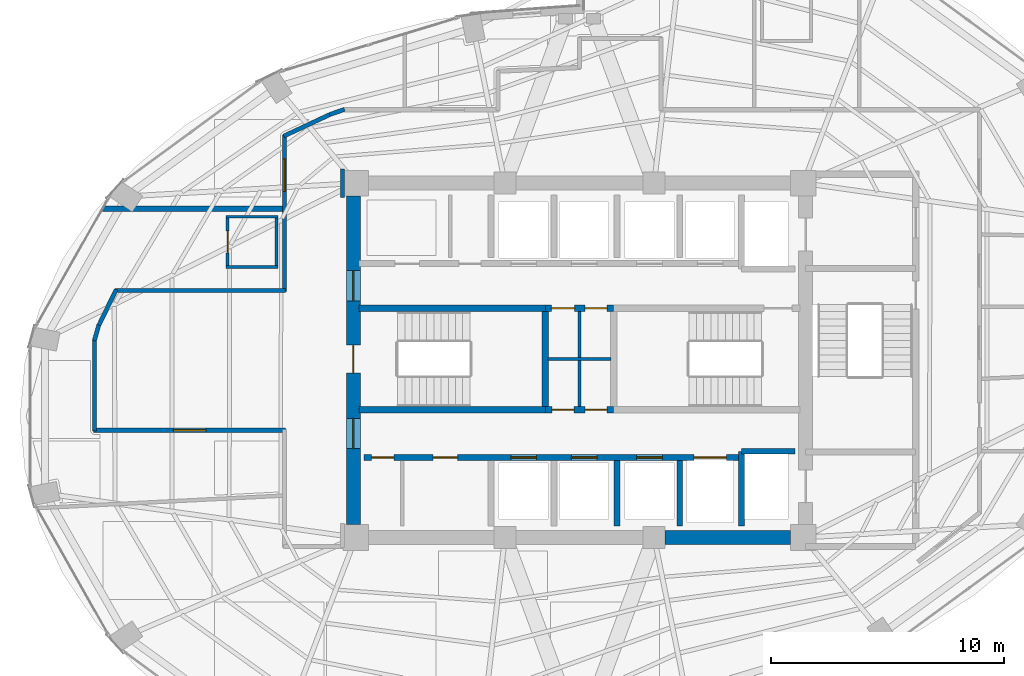
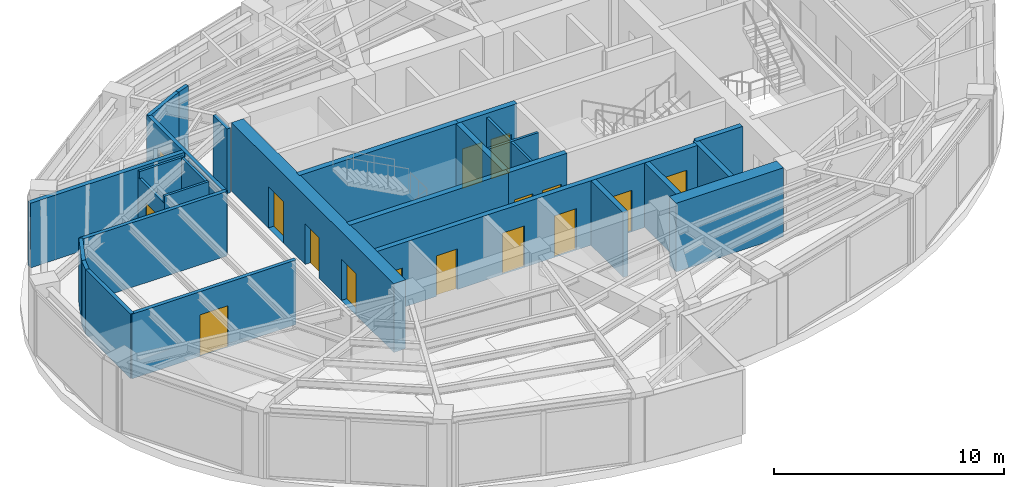
# One storey, part 16 of 20: 28 walls, 16 doors, 16 openings.
"""IFC4 building model written with IfcOpenShell, lengths in metres."""

from ifc_helpers import new_model, si_unit, direction, frame, frame_2d, origin, place, context, subcontext, project, spatial, rectangle, extrude, material, layer, layer_set, type_object, element, fill, save


model = new_model("IFC4")

# Units and contexts
model_context = context("Model", 3, precision=1e-05, world=origin(), true_north=direction((0.0, 1.0)))
body_context = subcontext(model_context, "Body", "Model", "MODEL_VIEW")
ifc_project = project(units=[si_unit("LENGTHUNIT", "METRE"), si_unit("AREAUNIT", "SQUARE_METRE"), si_unit("VOLUMEUNIT", "CUBIC_METRE"), si_unit("PLANEANGLEUNIT", "RADIAN"), si_unit("MASSUNIT", "GRAM", prefix="KILO")], contexts=[model_context])

# Site, building, storey
site_placement = place(None, origin())
site = spatial("IfcSite", under=ifc_project, at=site_placement, CompositionType="ELEMENT")
building_placement = place(site_placement, origin())
building = spatial("IfcBuilding", under=site, at=building_placement, Name="Lazwardi Medical Tower", CompositionType="ELEMENT")
storey_placement = place(building_placement, frame((0.0, 0.0, 138.2880859375)))
storey = spatial("IfcBuildingStorey", under=building, at=storey_placement, Name="L35", CompositionType="ELEMENT", Elevation=138.2880859375)

# Walls
ifc_material_1 = material(Name="Fire-rated gypsum board on steel stud", Category="steel")
ifc_layer_1 = layer(ifc_material_1, 0.179931640625)
ifc_layer_set_1 = layer_set([ifc_layer_1], Name="Fire-rated gypsum board on steel stud")
wall_type_1 = type_object("IfcWallType", Name="WL-COR-180", PredefinedType="PARTITIONING", material=ifc_layer_set_1)
wall_1_placement = place(storey_placement, frame((15.350341796875, 29.435791015625, 0.0), z_axis=(0.0, 0.0, 1.0), x_axis=(0.436196025907, 0.899851669434, 0.0)))
element("IfcWall", 1, at=wall_1_placement, inside=storey, type_object=wall_type_1, Name="L35 Corridor partition 1", PredefinedType="PARTITIONING", context=body_context, shape_type="SweptSolid", body=[
    extrude(rectangle(XDim=1.778076171875, YDim=0.179931640625, at=frame_2d((0.88916015625, 0.0))), origin(), (0.0, 0.0, 1.0), 3.427978515625),
])
wall_2_placement = place(storey_placement, frame((16.068359375, 31.0, 0.0), z_axis=(0.0, 0.0, 1.0), x_axis=(1.0, 0.0, 0.0)))
element("IfcWall", 2, at=wall_2_placement, inside=storey, type_object=wall_type_1, Name="L35 Corridor partition 2", PredefinedType="PARTITIONING", context=body_context, shape_type="SweptSolid", body=[
    extrude(rectangle(XDim=7.321533203125, YDim=0.179931640625, at=frame_2d((3.66064453125, 0.0))), origin(), (0.0, 0.0, 1.0), 3.427978515625),
])

# Wall, opening, door
wall_3_placement = place(storey_placement, frame((23.35009765625, 30.9599609375, 0.0), z_axis=(0.0, 0.0, 1.0), x_axis=(0.0, 1.0, 0.0)))
wall_3 = element("IfcWall", 3, at=wall_3_placement, inside=storey, type_object=wall_type_1, Name="L35 Corridor partition 3", PredefinedType="PARTITIONING", context=body_context, shape_type="SweptSolid", body=[
    extrude(rectangle(XDim=6.7138671875, YDim=0.179931640625, at=frame_2d((3.35693359375, 0.0))), origin(), (0.0, 0.0, 1.0), 3.427978515625),
])
opening_1_placement = place(wall_3_placement, frame((4.285400390625, 0.0, 0.0)))
opening_1 = element("IfcOpeningElement", 4, at=opening_1_placement, cuts=wall_3, Name="Opening D-L35-023", PredefinedType="OPENING", context=body_context, shape_type="SweptSolid", body=[
    extrude(rectangle(XDim=1.39990234375, YDim=2.199951171875, at=frame_2d((0.699951171875, 1.10009765625))), frame((0.0, 0.099853515625, 0.0), z_axis=(0.0, -1.0, 0.0), x_axis=(1.0, 0.0, 0.0)), (0.0, 0.0, 1.0), 0.199951171875),
])
ifc_material_2 = material(Name="Anti-microbial laminate hospital leaf")
door_type_1 = type_object("IfcDoorType", Name="DR-BED-1400", OperationType="NOTDEFINED", PredefinedType="DOOR", material=ifc_material_2)
door_1_placement = place(opening_1_placement, origin())
door_1 = element("IfcDoor", 5, at=door_1_placement, inside=storey, type_object=door_type_1, Name="L35 Patient Bedroom Door 09", OperationType="SINGLE_SWING_RIGHT", OverallHeight=2.199951171875, OverallWidth=1.39990234375, PredefinedType="DOOR", context=body_context, shape_type="SweptSolid", body=[
    extrude(rectangle(XDim=1.39990234375, YDim=2.199951171875, at=frame_2d((0.699951171875, 1.10009765625))), frame((0.0, 0.02490234375, 0.0), z_axis=(0.0, -1.0, 0.0), x_axis=(1.0, 0.0, 0.0)), (0.0, 0.0, 1.0), 0.050048828125),
])
fill(opening_1, door_1)

# Walls
wall_4_placement = place(storey_placement, frame((23.313720703125, 37.616943359375, 0.0), z_axis=(0.0, 0.0, 1.0), x_axis=(0.905731790856, 0.423851298255, 0.0)))
element("IfcWall", 6, at=wall_4_placement, inside=storey, type_object=wall_type_1, Name="L35 Corridor partition 4", PredefinedType="PARTITIONING", context=body_context, shape_type="SweptSolid", body=[
    extrude(rectangle(XDim=2.255126953125, YDim=0.179931640625, at=frame_2d((1.12744140625, 0.0))), origin(), (0.0, 0.0, 1.0), 3.427978515625),
])
wall_5_placement = place(storey_placement, frame((25.2822265625, 38.54248046875, 0.0), z_axis=(0.0, 0.0, 1.0), x_axis=(0.94508059942, 0.326837361085, 0.0)))
element("IfcWall", 7, at=wall_5_placement, inside=storey, type_object=wall_type_1, Name="L35 Corridor partition 5", PredefinedType="PARTITIONING", context=body_context, shape_type="SweptSolid", body=[
    extrude(rectangle(XDim=0.67529296875, YDim=0.179931640625, at=frame_2d((0.337646484375, 0.0))), origin(), (0.0, 0.0, 1.0), 3.427978515625),
])
wall_6_placement = place(storey_placement, frame((25.830078125, 36.2099609375, 0.0), z_axis=(0.0, 0.0, 1.0), x_axis=(0.0, -1.0, 0.0)))
element("IfcWall", 8, at=wall_6_placement, inside=storey, type_object=wall_type_1, Name="L35 Corridor partition 15", PredefinedType="PARTITIONING", context=body_context, shape_type="SweptSolid", body=[
    extrude(rectangle(XDim=1.219970703125, YDim=0.179931640625, at=frame_2d((0.60986328125, 0.0))), origin(), (0.0, 0.0, 1.0), 3.427978515625),
])

# Wall, opening, door
wall_7_placement = place(storey_placement, frame((23.389892578125, 25.0, 0.0), z_axis=(0.0, 0.0, 1.0), x_axis=(-1.0, 0.0, 0.0)))
wall_7 = element("IfcWall", 9, at=wall_7_placement, inside=storey, type_object=wall_type_1, Name="L35 Corridor partition 19", PredefinedType="PARTITIONING", context=body_context, shape_type="SweptSolid", body=[
    extrude(rectangle(XDim=8.22998046875, YDim=0.179931640625, at=frame_2d((4.114990234375, 0.0))), origin(), (0.0, 0.0, 1.0), 3.427978515625),
])
opening_2_placement = place(wall_7_placement, frame((3.4150390625, 0.0, 0.0)))
opening_2 = element("IfcOpeningElement", 10, at=opening_2_placement, cuts=wall_7, Name="Opening D-L35-015", PredefinedType="OPENING", context=body_context, shape_type="SweptSolid", body=[
    extrude(rectangle(XDim=1.39990234375, YDim=2.199951171875, at=frame_2d((0.699951171875, 1.10009765625))), frame((0.0, 0.099853515625, 0.0), z_axis=(0.0, -1.0, 0.0), x_axis=(1.0, 0.0, 0.0)), (0.0, 0.0, 1.0), 0.199951171875),
])
door_2_placement = place(opening_2_placement, origin())
door_2 = element("IfcDoor", 11, at=door_2_placement, inside=storey, type_object=door_type_1, Name="L35 Inpatient Ward Door 01", OperationType="SINGLE_SWING_LEFT", OverallHeight=2.199951171875, OverallWidth=1.39990234375, PredefinedType="DOOR", context=body_context, shape_type="SweptSolid", body=[
    extrude(rectangle(XDim=1.39990234375, YDim=2.199951171875, at=frame_2d((0.699951171875, 1.10009765625))), frame((0.0, 0.02490234375, 0.0), z_axis=(0.0, -1.0, 0.0), x_axis=(1.0, 0.0, 0.0)), (0.0, 0.0, 1.0), 0.050048828125),
])
fill(opening_2, door_2)

# Walls
wall_8_placement = place(storey_placement, frame((15.199951171875, 24.9599609375, 0.0), z_axis=(0.0, 0.0, 1.0), x_axis=(0.0, 1.0, 0.0)))
element("IfcWall", 12, at=wall_8_placement, inside=storey, type_object=wall_type_1, Name="L35 Corridor partition 20", PredefinedType="PARTITIONING", context=body_context, shape_type="SweptSolid", body=[
    extrude(rectangle(XDim=3.961181640625, YDim=0.179931640625, at=frame_2d((1.98046875, 0.0))), origin(), (0.0, 0.0, 1.0), 3.427978515625),
])
wall_9_placement = place(storey_placement, frame((15.189208984375, 28.842529296875, 0.0), z_axis=(0.0, 0.0, 1.0), x_axis=(0.272862960331, 0.962052911684, 0.0)))
element("IfcWall", 13, at=wall_9_placement, inside=storey, type_object=wall_type_1, Name="L35 Corridor partition 21", PredefinedType="PARTITIONING", context=body_context, shape_type="SweptSolid", body=[
    extrude(rectangle(XDim=0.6943359375, YDim=0.179931640625, at=frame_2d((0.34716796875, 0.0))), origin(), (0.0, 0.0, 1.0), 3.427978515625),
])

# Wall, openings, doors
ifc_material_3 = material(Name="Concrete C60/75", Category="concrete")
ifc_layer_2 = layer(ifc_material_3, 0.60009765625)
ifc_layer_set_2 = layer_set([ifc_layer_2], Name="Concrete C60/75")
wall_type_2 = type_object("IfcWallType", Name="WL-CORE-600", PredefinedType="SHEAR", material=ifc_layer_set_2)
wall_10_placement = place(storey_placement, frame((26.300048828125, 20.949951171875, 0.0), z_axis=(0.0, 0.0, 1.0), x_axis=(0.0, 1.0, 0.0)))
wall_10 = element("IfcWall", 14, at=wall_10_placement, inside=storey, type_object=wall_type_2, Name="Core wall CW-S3 west L35", PredefinedType="SHEAR", context=body_context, shape_type="SweptSolid", body=[
    extrude(rectangle(XDim=14.10009765625, YDim=0.60009765625, at=frame_2d((7.050048828125, 0.0))), origin(), (0.0, 0.0, 1.0), 3.64794921875),
])
opening_3_placement = place(wall_10_placement, frame((6.5, 0.0, 0.0)))
opening_3 = element("IfcOpeningElement", 15, at=opening_3_placement, cuts=wall_10, Name="Opening D-L35-024", PredefinedType="OPENING", context=body_context, shape_type="SweptSolid", body=[
    extrude(rectangle(XDim=1.199951171875, YDim=2.14990234375, at=frame_2d((0.60009765625, 1.074951171875))), frame((0.0, 0.31005859375, 0.0), z_axis=(0.0, -1.0, 0.0), x_axis=(1.0, 0.0, 0.0)), (0.0, 0.0, 1.0), 0.6201171875),
])
opening_4_placement = place(wall_10_placement, frame((9.60009765625, 0.0, 0.0)))
opening_4 = element("IfcOpeningElement", 16, at=opening_4_placement, cuts=wall_10, Name="Opening D-L35-013", PredefinedType="OPENING", context=body_context, shape_type="SweptSolid", body=[
    extrude(rectangle(XDim=1.300048828125, YDim=2.199951171875, at=frame_2d((0.64990234375, 1.10009765625))), frame((0.0, 0.31005859375, 0.0), z_axis=(0.0, -1.0, 0.0), x_axis=(1.0, 0.0, 0.0)), (0.0, 0.0, 1.0), 0.6201171875),
])
opening_5_placement = place(wall_10_placement, frame((3.260009765625, 0.0, 0.0)))
opening_5 = element("IfcOpeningElement", 17, at=opening_5_placement, cuts=wall_10, Name="Opening D-L35-014", PredefinedType="OPENING", context=body_context, shape_type="SweptSolid", body=[
    extrude(rectangle(XDim=1.300048828125, YDim=2.199951171875, at=frame_2d((0.64990234375, 1.10009765625))), frame((0.0, 0.31005859375, 0.0), z_axis=(0.0, -1.0, 0.0), x_axis=(1.0, 0.0, 0.0)), (0.0, 0.0, 1.0), 0.6201171875),
])
ifc_material_4 = material(Name="Fire-rated steel leaf and frame", Category="steel")
door_type_2 = type_object("IfcDoorType", Name="DR-FFL-1300", OperationType="NOTDEFINED", PredefinedType="DOOR", material=ifc_material_4)
door_3_placement = place(opening_4_placement, origin())
door_3 = element("IfcDoor", 18, at=door_3_placement, inside=storey, type_object=door_type_2, Name="L35 North Lift Lobby Door", OperationType="SINGLE_SWING_LEFT", OverallHeight=2.199951171875, OverallWidth=1.300048828125, PredefinedType="DOOR", context=body_context, shape_type="SweptSolid", body=[
    extrude(rectangle(XDim=1.300048828125, YDim=2.199951171875, at=frame_2d((0.64990234375, 1.10009765625))), frame((0.0, 0.02490234375, 0.0), z_axis=(0.0, -1.0, 0.0), x_axis=(1.0, 0.0, 0.0)), (0.0, 0.0, 1.0), 0.050048828125),
])
fill(opening_4, door_3)
door_4_placement = place(opening_5_placement, origin())
door_4 = element("IfcDoor", 19, at=door_4_placement, inside=storey, type_object=door_type_2, Name="L35 South Lift Lobby Door", OperationType="SINGLE_SWING_RIGHT", OverallHeight=2.199951171875, OverallWidth=1.300048828125, PredefinedType="DOOR", context=body_context, shape_type="SweptSolid", body=[
    extrude(rectangle(XDim=1.300048828125, YDim=2.199951171875, at=frame_2d((0.64990234375, 1.10009765625))), frame((0.0, 0.02490234375, 0.0), z_axis=(0.0, -1.0, 0.0), x_axis=(1.0, 0.0, 0.0)), (0.0, 0.0, 1.0), 0.050048828125),
])
fill(opening_5, door_4)
door_type_3 = type_object("IfcDoorType", Name="DR-STR-1200", OperationType="NOTDEFINED", PredefinedType="DOOR", material=ifc_material_4)
door_5_placement = place(opening_3_placement, origin())
door_5 = element("IfcDoor", 20, at=door_5_placement, inside=storey, type_object=door_type_3, Name="L35 Exit Stair ST1 Door", OperationType="SINGLE_SWING_LEFT", OverallHeight=2.14990234375, OverallWidth=1.199951171875, PredefinedType="DOOR", context=body_context, shape_type="SweptSolid", body=[
    extrude(rectangle(XDim=1.199951171875, YDim=2.14990234375, at=frame_2d((0.60009765625, 1.074951171875))), frame((0.0, 0.02490234375, 0.0), z_axis=(0.0, -1.0, 0.0), x_axis=(1.0, 0.0, 0.0)), (0.0, 0.0, 1.0), 0.050048828125),
])
fill(opening_3, door_5)

# Walls
wall_11_placement = place(storey_placement, frame((39.675048828125, 20.39990234375, 0.0), z_axis=(0.0, 0.0, 1.0), x_axis=(1.0, 0.0, 0.0)))
element("IfcWall", 21, at=wall_11_placement, inside=storey, type_object=wall_type_2, Name="Core wall CW-S3 S3 L35", PredefinedType="SHEAR", context=body_context, shape_type="SweptSolid", body=[
    extrude(rectangle(XDim=5.375, YDim=0.60009765625, at=frame_2d((2.6875, 0.0))), origin(), (0.0, 0.0, 1.0), 3.64794921875),
])
ifc_material_5 = material(Name="Moisture-resistant gypsum board partition")
ifc_layer_3 = layer(ifc_material_5, 0.125)
ifc_layer_set_3 = layer_set([ifc_layer_3], Name="Moisture-resistant gypsum board partition")
wall_type_3 = type_object("IfcWallType", Name="WL-ENS-125", PredefinedType="PARTITIONING", material=ifc_layer_set_3)
wall_12_placement = place(storey_placement, frame((34.64990234375, 28.06005859375, 0.0), z_axis=(0.0, 0.0, 1.0), x_axis=(1.0, 0.0, 0.0)))
element("IfcWall", 22, at=wall_12_placement, inside=storey, type_object=wall_type_3, Name="L35 Core 4-way H divider", PredefinedType="PARTITIONING", context=body_context, shape_type="SweptSolid", body=[
    extrude(rectangle(XDim=2.7001953125, YDim=0.125, at=frame_2d((1.35009765625, 0.0))), origin(), (0.0, 0.0, 1.0), 3.427978515625),
])
wall_13_placement = place(storey_placement, frame((36.0, 26.02001953125, 0.0), z_axis=(0.0, 0.0, 1.0), x_axis=(0.0, 1.0, 0.0)))
element("IfcWall", 23, at=wall_13_placement, inside=storey, type_object=wall_type_3, Name="L35 Core 4-way V divider", PredefinedType="PARTITIONING", context=body_context, shape_type="SweptSolid", body=[
    extrude(rectangle(XDim=4.080078125, YDim=0.125, at=frame_2d((2.0400390625, 0.0))), origin(), (0.0, 0.0, 1.0), 3.427978515625),
])
for number, where, z_axis, x_axis, name in (
    (24, (20.844970703125, 34.159912109375, 0.0), (0.0, 0.0, 1.0), (1.0, 0.0, 0.0), "L35 En-suite wall 1N"),
    (25, (20.844970703125, 32.0, 0.0), (0.0, 0.0, 1.0), (1.0, 0.0, 0.0), "L35 En-suite wall 1S"),
):
    element("IfcWall", number, at=place(storey_placement, frame(where, z_axis=z_axis, x_axis=x_axis)), inside=storey, type_object=wall_type_3, Name=name, PredefinedType="PARTITIONING", context=body_context, shape_type="SweptSolid", body=[
        extrude(rectangle(XDim=2.219970703125, YDim=0.125, at=frame_2d((1.10986328125, 0.0))), origin(), (0.0, 0.0, 1.0), 3.427978515625),
    ])
wall_14_placement = place(storey_placement, frame((23.0048828125, 31.93994140625, 0.0), z_axis=(0.0, 0.0, 1.0), x_axis=(0.0, 1.0, 0.0)))
element("IfcWall", 26, at=wall_14_placement, inside=storey, type_object=wall_type_3, Name="L35 En-suite wall 1E", PredefinedType="PARTITIONING", context=body_context, shape_type="SweptSolid", body=[
    extrude(rectangle(XDim=2.280029296875, YDim=0.125, at=frame_2d((1.14013671875, 0.0))), origin(), (0.0, 0.0, 1.0), 3.427978515625),
])

# Wall, opening, door
wall_15_placement = place(storey_placement, frame((20.905029296875, 31.93994140625, 0.0), z_axis=(0.0, 0.0, 1.0), x_axis=(0.0, 1.0, 0.0)))
wall_15 = element("IfcWall", 27, at=wall_15_placement, inside=storey, type_object=wall_type_3, Name="L35 En-suite wall 1W", PredefinedType="PARTITIONING", context=body_context, shape_type="SweptSolid", body=[
    extrude(rectangle(XDim=2.280029296875, YDim=0.125, at=frame_2d((1.14013671875, 0.0))), origin(), (0.0, 0.0, 1.0), 3.052978515625),
])
opening_6_placement = place(wall_15_placement, frame((0.6650390625, 0.0, 0.0)))
opening_6 = element("IfcOpeningElement", 28, at=opening_6_placement, cuts=wall_15, Name="Opening D-L35-005", PredefinedType="OPENING", context=body_context, shape_type="SweptSolid", body=[
    extrude(rectangle(XDim=0.949951171875, YDim=2.10009765625, at=frame_2d((0.47509765625, 1.050048828125))), frame((0.0, 0.072509765625, 0.0), z_axis=(0.0, -1.0, 0.0), x_axis=(1.0, 0.0, 0.0)), (0.0, 0.0, 1.0), 0.14501953125),
])
ifc_material_6 = material(Name="Moisture-resistant laminate door leaf")
door_type_4 = type_object("IfcDoorType", Name="DR-ENS-950", OperationType="NOTDEFINED", PredefinedType="DOOR", material=ifc_material_6)
door_6_placement = place(opening_6_placement, origin())
door_6 = element("IfcDoor", 29, at=door_6_placement, inside=storey, type_object=door_type_4, Name="L35 En-suite Door 01", OperationType="SINGLE_SWING_RIGHT", OverallHeight=2.10009765625, OverallWidth=0.949951171875, PredefinedType="DOOR", context=body_context, shape_type="SweptSolid", body=[
    extrude(rectangle(XDim=0.949951171875, YDim=2.10009765625, at=frame_2d((0.47509765625, 1.050048828125))), frame((0.0, 0.02490234375, 0.0), z_axis=(0.0, -1.0, 0.0), x_axis=(1.0, 0.0, 0.0)), (0.0, 0.0, 1.0), 0.050048828125),
])
fill(opening_6, door_6)

# Wall, openings, doors
ifc_material_7 = material(Name="Autoclaved aerated concrete blockwork", Category="masonry")
ifc_layer_4 = layer(ifc_material_7, 0.25)
ifc_layer_set_4 = layer_set([ifc_layer_4], Name="Autoclaved aerated concrete blockwork")
wall_type_4 = type_object("IfcWallType", Name="WL-SHAFT-250", PredefinedType="SOLIDWALL", material=ifc_layer_set_4)
wall_16_placement = place(storey_placement, frame((26.75, 23.830078125, 0.0), z_axis=(0.0, 0.0, 1.0), x_axis=(1.0, 0.0, 0.0)))
wall_16 = element("IfcWall", 30, at=wall_16_placement, inside=storey, type_object=wall_type_4, Name="L35 South lift bank front wall", PredefinedType="SOLIDWALL", context=body_context, shape_type="SweptSolid", body=[
    extrude(rectangle(XDim=16.199951171875, YDim=0.25, at=frame_2d((8.10009765625, 0.0))), origin(), (0.0, 0.0, 1.0), 3.427978515625),
])
opening_7_placement = place(wall_16_placement, frame((0.3349609375, 0.0, 0.0)))
opening_7 = element("IfcOpeningElement", 31, at=opening_7_placement, cuts=wall_16, Name="Opening D-L35-009", PredefinedType="OPENING", context=body_context, shape_type="SweptSolid", body=[
    extrude(rectangle(XDim=0.949951171875, YDim=2.10009765625, at=frame_2d((0.47509765625, 1.050048828125))), frame((0.0, 0.135009765625, 0.0), z_axis=(0.0, -1.0, 0.0), x_axis=(1.0, 0.0, 0.0)), (0.0, 0.0, 1.0), 0.27001953125),
])
opening_8_placement = place(wall_16_placement, frame((2.97509765625, 0.0, 0.0)))
opening_8 = element("IfcOpeningElement", 32, at=opening_8_placement, cuts=wall_16, Name="Opening D-L35-010", PredefinedType="OPENING", context=body_context, shape_type="SweptSolid", body=[
    extrude(rectangle(XDim=1.050048828125, YDim=2.14990234375, at=frame_2d((0.52490234375, 1.074951171875))), frame((0.0, 0.135009765625, 0.0), z_axis=(0.0, -1.0, 0.0), x_axis=(1.0, 0.0, 0.0)), (0.0, 0.0, 1.0), 0.27001953125),
])
opening_9_placement = place(wall_16_placement, frame((6.300048828125, 0.0, 0.0)))
opening_9 = element("IfcOpeningElement", 33, at=opening_9_placement, cuts=wall_16, Name="Opening LD-L35-006", PredefinedType="OPENING", context=body_context, shape_type="SweptSolid", body=[
    extrude(rectangle(XDim=1.10009765625, YDim=2.199951171875, at=frame_2d((0.550048828125, 1.10009765625))), frame((0.0, 0.135009765625, 0.0), z_axis=(0.0, -1.0, 0.0), x_axis=(1.0, 0.0, 0.0)), (0.0, 0.0, 1.0), 0.27001953125),
])
opening_10_placement = place(wall_16_placement, frame((8.89990234375, 0.0, 0.0)))
opening_10 = element("IfcOpeningElement", 34, at=opening_10_placement, cuts=wall_16, Name="Opening LD-L35-007", PredefinedType="OPENING", context=body_context, shape_type="SweptSolid", body=[
    extrude(rectangle(XDim=1.10009765625, YDim=2.199951171875, at=frame_2d((0.550048828125, 1.10009765625))), frame((0.0, 0.135009765625, 0.0), z_axis=(0.0, -1.0, 0.0), x_axis=(1.0, 0.0, 0.0)), (0.0, 0.0, 1.0), 0.27001953125),
])
opening_11_placement = place(wall_16_placement, frame((11.699951171875, 0.0, 0.0)))
opening_11 = element("IfcOpeningElement", 35, at=opening_11_placement, cuts=wall_16, Name="Opening LD-L35-010", PredefinedType="OPENING", context=body_context, shape_type="SweptSolid", body=[
    extrude(rectangle(XDim=1.10009765625, YDim=2.199951171875, at=frame_2d((0.550048828125, 1.10009765625))), frame((0.0, 0.135009765625, 0.0), z_axis=(0.0, -1.0, 0.0), x_axis=(1.0, 0.0, 0.0)), (0.0, 0.0, 1.0), 0.27001953125),
])
opening_12_placement = place(wall_16_placement, frame((14.14990234375, 0.0, 0.0)))
opening_12 = element("IfcOpeningElement", 36, at=opening_12_placement, cuts=wall_16, Name="Opening LD-L35-003", PredefinedType="OPENING", context=body_context, shape_type="SweptSolid", body=[
    extrude(rectangle(XDim=1.39990234375, YDim=2.300048828125, at=frame_2d((0.699951171875, 1.14990234375))), frame((0.0, 0.135009765625, 0.0), z_axis=(0.0, -1.0, 0.0), x_axis=(1.0, 0.0, 0.0)), (0.0, 0.0, 1.0), 0.27001953125),
])
door_type_5 = type_object("IfcDoorType", Name="DR-CLN-1050", OperationType="NOTDEFINED", PredefinedType="DOOR", material=ifc_material_2)
door_7_placement = place(opening_8_placement, origin())
door_7 = element("IfcDoor", 37, at=door_7_placement, inside=storey, type_object=door_type_5, Name="L35 Medication Door", OperationType="SINGLE_SWING_RIGHT", OverallHeight=2.14990234375, OverallWidth=1.050048828125, PredefinedType="DOOR", context=body_context, shape_type="SweptSolid", body=[
    extrude(rectangle(XDim=1.050048828125, YDim=2.14990234375, at=frame_2d((0.52490234375, 1.074951171875))), frame((0.0, 0.02490234375, 0.0), z_axis=(0.0, -1.0, 0.0), x_axis=(1.0, 0.0, 0.0)), (0.0, 0.0, 1.0), 0.050048828125),
])
fill(opening_8, door_7)
door_8_placement = place(opening_7_placement, origin())
door_8 = element("IfcDoor", 38, at=door_8_placement, inside=storey, type_object=door_type_4, Name="L35 Utility Door", OperationType="SINGLE_SWING_LEFT", OverallHeight=2.10009765625, OverallWidth=0.949951171875, PredefinedType="DOOR", context=body_context, shape_type="SweptSolid", body=[
    extrude(rectangle(XDim=0.949951171875, YDim=2.10009765625, at=frame_2d((0.47509765625, 1.050048828125))), frame((0.0, 0.02490234375, 0.0), z_axis=(0.0, -1.0, 0.0), x_axis=(1.0, 0.0, 0.0)), (0.0, 0.0, 1.0), 0.050048828125),
])
fill(opening_7, door_8)
ifc_material_8 = material(Name="Brushed bronze stainless steel landing door", Category="steel")
door_type_6 = type_object("IfcDoorType", Name="DR-LFT-1100", OperationType="NOTDEFINED", PredefinedType="DOOR", material=ifc_material_8)
door_9_placement = place(opening_9_placement, origin())
door_9 = element("IfcDoor", 39, at=door_9_placement, inside=storey, type_object=door_type_6, Name="L35 Lift Landing Door PL-07", OperationType="SLIDING_TO_LEFT", OverallHeight=2.199951171875, OverallWidth=1.10009765625, PredefinedType="DOOR", context=body_context, shape_type="SweptSolid", body=[
    extrude(rectangle(XDim=1.10009765625, YDim=2.199951171875, at=frame_2d((0.550048828125, 1.10009765625))), frame((0.0, 0.02490234375, 0.0), z_axis=(0.0, -1.0, 0.0), x_axis=(1.0, 0.0, 0.0)), (0.0, 0.0, 1.0), 0.050048828125),
])
fill(opening_9, door_9)
door_10_placement = place(opening_10_placement, origin())
door_10 = element("IfcDoor", 40, at=door_10_placement, inside=storey, type_object=door_type_6, Name="L35 Lift Landing Door PL-08", OperationType="SLIDING_TO_LEFT", OverallHeight=2.199951171875, OverallWidth=1.10009765625, PredefinedType="DOOR", context=body_context, shape_type="SweptSolid", body=[
    extrude(rectangle(XDim=1.10009765625, YDim=2.199951171875, at=frame_2d((0.550048828125, 1.10009765625))), frame((0.0, 0.02490234375, 0.0), z_axis=(0.0, -1.0, 0.0), x_axis=(1.0, 0.0, 0.0)), (0.0, 0.0, 1.0), 0.050048828125),
])
fill(opening_10, door_10)
door_11_placement = place(opening_11_placement, origin())
door_11 = element("IfcDoor", 41, at=door_11_placement, inside=storey, type_object=door_type_6, Name="L35 Lift Landing Door PL-11", OperationType="SLIDING_TO_LEFT", OverallHeight=2.199951171875, OverallWidth=1.10009765625, PredefinedType="DOOR", context=body_context, shape_type="SweptSolid", body=[
    extrude(rectangle(XDim=1.10009765625, YDim=2.199951171875, at=frame_2d((0.550048828125, 1.10009765625))), frame((0.0, 0.02490234375, 0.0), z_axis=(0.0, -1.0, 0.0), x_axis=(1.0, 0.0, 0.0)), (0.0, 0.0, 1.0), 0.050048828125),
])
fill(opening_11, door_11)
ifc_material_9 = material(Name="Brushed stainless steel bed-lift landing door", Category="steel")
door_type_7 = type_object("IfcDoorType", Name="DR-LFT-1400", OperationType="NOTDEFINED", PredefinedType="DOOR", material=ifc_material_9)
door_12_placement = place(opening_12_placement, origin())
door_12 = element("IfcDoor", 42, at=door_12_placement, inside=storey, type_object=door_type_7, Name="L35 Lift Landing Door FL-03", OperationType="SLIDING_TO_LEFT", OverallHeight=2.300048828125, OverallWidth=1.39990234375, PredefinedType="DOOR", context=body_context, shape_type="SweptSolid", body=[
    extrude(rectangle(XDim=1.39990234375, YDim=2.300048828125, at=frame_2d((0.699951171875, 1.14990234375))), frame((0.0, 0.02490234375, 0.0), z_axis=(0.0, -1.0, 0.0), x_axis=(1.0, 0.0, 0.0)), (0.0, 0.0, 1.0), 0.050048828125),
])
fill(opening_12, door_12)

# Walls
wall_17_placement = place(storey_placement, frame((42.949951171875, 20.89990234375, 0.0), z_axis=(0.0, 0.0, 1.0), x_axis=(0.0, 1.0, 0.0)))
element("IfcWall", 43, at=wall_17_placement, inside=storey, type_object=wall_type_4, Name="L35 FL-02 West shaft wall", PredefinedType="SOLIDWALL", context=body_context, shape_type="SweptSolid", body=[
    extrude(rectangle(XDim=3.2001953125, YDim=0.25, at=frame_2d((1.60009765625, 0.0))), origin(), (0.0, 0.0, 1.0), 3.427978515625),
])
wall_18_placement = place(storey_placement, frame((42.949951171875, 24.10009765625, 0.0), z_axis=(0.0, 0.0, 1.0), x_axis=(1.0, 0.0, 0.0)))
element("IfcWall", 44, at=wall_18_placement, inside=storey, type_object=wall_type_4, Name="L35 FL-02 North shaft wall", PredefinedType="SOLIDWALL", context=body_context, shape_type="SweptSolid", body=[
    extrude(rectangle(XDim=2.300048828125, YDim=0.25, at=frame_2d((1.14990234375, 0.0))), origin(), (0.0, 0.0, 1.0), 3.427978515625),
])
for number, where, z_axis, x_axis, name in (
    (45, (37.60009765625, 20.89990234375, 0.0), (0.0, 0.0, 1.0), (0.0, 1.0, 0.0), "L35 South hoistway divider"),
    (46, (40.300048828125, 20.89990234375, 0.0), (0.0, 0.0, 1.0), (0.0, 1.0, 0.0), "L35 South hoistway divider"),
):
    element("IfcWall", number, at=place(storey_placement, frame(where, z_axis=z_axis, x_axis=x_axis)), inside=storey, type_object=wall_type_4, Name=name, PredefinedType="SOLIDWALL", context=body_context, shape_type="SweptSolid", body=[
        extrude(rectangle(XDim=2.800048828125, YDim=0.25, at=frame_2d((1.39990234375, 0.0))), origin(), (0.0, 0.0, 1.0), 3.427978515625),
    ])
ifc_layer_5 = layer(ifc_material_1, 0.219970703125)
ifc_layer_set_5 = layer_set([ifc_layer_5], Name="Fire-rated gypsum board on steel stud")
wall_type_5 = type_object("IfcWallType", Name="WL-SMK-220", PredefinedType="PARTITIONING", material=ifc_layer_set_5)
wall_19_placement = place(storey_placement, frame((15.5439453125, 34.5, 0.0), z_axis=(0.0, 0.0, 1.0), x_axis=(1.0, 0.0, 0.0)))
element("IfcWall", 47, at=wall_19_placement, inside=storey, type_object=wall_type_5, Name="L35 Room partition 2", PredefinedType="PARTITIONING", context=body_context, shape_type="SweptSolid", body=[
    extrude(rectangle(XDim=7.716064453125, YDim=0.219970703125, at=frame_2d((3.85791015625, 0.0))), origin(), (0.0, 0.0, 1.0), 3.427978515625),
])
ifc_material_10 = material(Name="Concrete C50/60", Category="concrete")
ifc_layer_6 = layer(ifc_material_10, 0.27001953125)
ifc_layer_set_6 = layer_set([ifc_layer_6], Name="Concrete C50/60")
wall_type_6 = type_object("IfcWallType", Name="WL-STR-250", PredefinedType="SHEAR", material=ifc_layer_set_6)
wall_20_placement = place(storey_placement, frame((26.550048828125, 30.235107421875, 0.0), z_axis=(0.0, 0.0, 1.0), x_axis=(1.0, 0.0, 0.0)))
element("IfcWall", 48, at=wall_20_placement, inside=storey, type_object=wall_type_6, Name="L35 ST1 North shear shaft wall SW-S1", PredefinedType="SHEAR", context=body_context, shape_type="SweptSolid", body=[
    extrude(rectangle(XDim=7.98486328125, YDim=0.27001953125, at=frame_2d((3.992431640625, 0.0))), origin(), (0.0, 0.0, 1.0), 3.64794921875),
])

# Wall, openings, doors
wall_21_placement = place(storey_placement, frame((34.534912109375, 30.235107421875, 0.0), z_axis=(0.0, 0.0, 1.0), x_axis=(1.0, 0.0, 0.0)))
wall_21 = element("IfcWall", 49, at=wall_21_placement, inside=storey, type_object=wall_type_6, Name="L35 Core service North shear wall SW-S1", PredefinedType="SHEAR", context=body_context, shape_type="SweptSolid", body=[
    extrude(rectangle(XDim=2.93017578125, YDim=0.27001953125, at=frame_2d((1.465087890625, 0.0))), origin(), (0.0, 0.0, 1.0), 3.64794921875),
])
opening_13_placement = place(wall_21_placement, frame((0.2548828125, 0.0, 0.0)))
opening_13 = element("IfcOpeningElement", 50, at=opening_13_placement, cuts=wall_21, Name="Opening D-L35-003", PredefinedType="OPENING", context=body_context, shape_type="SweptSolid", body=[
    extrude(rectangle(XDim=1.0, YDim=2.10009765625, at=frame_2d((0.5, 1.050048828125))), frame((0.0, 0.14501953125, 0.0), z_axis=(0.0, -1.0, 0.0), x_axis=(1.0, 0.0, 0.0)), (0.0, 0.0, 1.0), 0.2900390625),
])
opening_14_placement = place(wall_21_placement, frame((1.699951171875, 0.0, 0.0)))
opening_14 = element("IfcOpeningElement", 51, at=opening_14_placement, cuts=wall_21, Name="Opening D-L35-004", PredefinedType="OPENING", context=body_context, shape_type="SweptSolid", body=[
    extrude(rectangle(XDim=0.949951171875, YDim=2.10009765625, at=frame_2d((0.47509765625, 1.050048828125))), frame((0.0, 0.14501953125, 0.0), z_axis=(0.0, -1.0, 0.0), x_axis=(1.0, 0.0, 0.0)), (0.0, 0.0, 1.0), 0.2900390625),
])
door_type_8 = type_object("IfcDoorType", Name="DR-AWC-1000", OperationType="NOTDEFINED", PredefinedType="DOOR", material=ifc_material_6)
door_13_placement = place(opening_13_placement, origin())
door_13 = element("IfcDoor", 52, at=door_13_placement, inside=storey, type_object=door_type_8, Name="L35 Accessible WC Door", OperationType="SINGLE_SWING_LEFT", OverallHeight=2.10009765625, OverallWidth=1.0, PredefinedType="DOOR", context=body_context, shape_type="SweptSolid", body=[
    extrude(rectangle(XDim=1.0, YDim=2.10009765625, at=frame_2d((0.5, 1.050048828125))), frame((0.0, 0.02490234375, 0.0), z_axis=(0.0, -1.0, 0.0), x_axis=(1.0, 0.0, 0.0)), (0.0, 0.0, 1.0), 0.050048828125),
])
fill(opening_13, door_13)
door_14_placement = place(opening_14_placement, origin())
door_14 = element("IfcDoor", 53, at=door_14_placement, inside=storey, type_object=door_type_4, Name="L35 Clean Utility Door", OperationType="SINGLE_SWING_RIGHT", OverallHeight=2.10009765625, OverallWidth=0.949951171875, PredefinedType="DOOR", context=body_context, shape_type="SweptSolid", body=[
    extrude(rectangle(XDim=0.949951171875, YDim=2.10009765625, at=frame_2d((0.47509765625, 1.050048828125))), frame((0.0, 0.02490234375, 0.0), z_axis=(0.0, -1.0, 0.0), x_axis=(1.0, 0.0, 0.0)), (0.0, 0.0, 1.0), 0.050048828125),
])
fill(opening_14, door_14)

# Wall
wall_22_placement = place(storey_placement, frame((26.550048828125, 25.885009765625, 0.0), z_axis=(0.0, 0.0, 1.0), x_axis=(1.0, 0.0, 0.0)))
element("IfcWall", 54, at=wall_22_placement, inside=storey, type_object=wall_type_6, Name="L35 ST1 South shear shaft wall SW-S1", PredefinedType="SHEAR", context=body_context, shape_type="SweptSolid", body=[
    extrude(rectangle(XDim=7.98486328125, YDim=0.27001953125, at=frame_2d((3.992431640625, 0.0))), origin(), (0.0, 0.0, 1.0), 3.64794921875),
])

# Wall, openings, doors
wall_23_placement = place(storey_placement, frame((34.534912109375, 25.885009765625, 0.0), z_axis=(0.0, 0.0, 1.0), x_axis=(1.0, 0.0, 0.0)))
wall_23 = element("IfcWall", 55, at=wall_23_placement, inside=storey, type_object=wall_type_6, Name="L35 Core service South shear wall SW-S1", PredefinedType="SHEAR", context=body_context, shape_type="SweptSolid", body=[
    extrude(rectangle(XDim=2.93017578125, YDim=0.27001953125, at=frame_2d((1.465087890625, 0.0))), origin(), (0.0, 0.0, 1.0), 3.64794921875),
])
opening_15_placement = place(wall_23_placement, frame((0.280029296875, 0.0, 0.0)))
opening_15 = element("IfcOpeningElement", 56, at=opening_15_placement, cuts=wall_23, Name="Opening D-L35-001", PredefinedType="OPENING", context=body_context, shape_type="SweptSolid", body=[
    extrude(rectangle(XDim=0.949951171875, YDim=2.10009765625, at=frame_2d((0.47509765625, 1.050048828125))), frame((0.0, 0.14501953125, 0.0), z_axis=(0.0, -1.0, 0.0), x_axis=(1.0, 0.0, 0.0)), (0.0, 0.0, 1.0), 0.2900390625),
])
opening_16_placement = place(wall_23_placement, frame((1.699951171875, 0.0, 0.0)))
opening_16 = element("IfcOpeningElement", 57, at=opening_16_placement, cuts=wall_23, Name="Opening D-L35-002", PredefinedType="OPENING", context=body_context, shape_type="SweptSolid", body=[
    extrude(rectangle(XDim=0.949951171875, YDim=2.10009765625, at=frame_2d((0.47509765625, 1.050048828125))), frame((0.0, 0.14501953125, 0.0), z_axis=(0.0, -1.0, 0.0), x_axis=(1.0, 0.0, 0.0)), (0.0, 0.0, 1.0), 0.2900390625),
])
door_15_placement = place(opening_15_placement, origin())
door_15 = element("IfcDoor", 58, at=door_15_placement, inside=storey, type_object=door_type_4, Name="L35 Staff WC Door", OperationType="SINGLE_SWING_LEFT", OverallHeight=2.10009765625, OverallWidth=0.949951171875, PredefinedType="DOOR", context=body_context, shape_type="SweptSolid", body=[
    extrude(rectangle(XDim=0.949951171875, YDim=2.10009765625, at=frame_2d((0.47509765625, 1.050048828125))), frame((0.0, 0.02490234375, 0.0), z_axis=(0.0, -1.0, 0.0), x_axis=(1.0, 0.0, 0.0)), (0.0, 0.0, 1.0), 0.050048828125),
])
fill(opening_15, door_15)
door_16_placement = place(opening_16_placement, origin())
door_16 = element("IfcDoor", 59, at=door_16_placement, inside=storey, type_object=door_type_4, Name="L35 Comms Room Door", OperationType="SINGLE_SWING_RIGHT", OverallHeight=2.10009765625, OverallWidth=0.949951171875, PredefinedType="DOOR", context=body_context, shape_type="SweptSolid", body=[
    extrude(rectangle(XDim=0.949951171875, YDim=2.10009765625, at=frame_2d((0.47509765625, 1.050048828125))), frame((0.0, 0.02490234375, 0.0), z_axis=(0.0, -1.0, 0.0), x_axis=(1.0, 0.0, 0.0)), (0.0, 0.0, 1.0), 0.050048828125),
])
fill(opening_16, door_16)

# Wall
wall_24_placement = place(storey_placement, frame((34.534912109375, 26.02001953125, 0.0), z_axis=(0.0, 0.0, 1.0), x_axis=(0.0, 1.0, 0.0)))
element("IfcWall", 60, at=wall_24_placement, inside=storey, type_object=wall_type_6, Name="L35 ST1 East shear shaft wall SW-S1", PredefinedType="SHEAR", context=body_context, shape_type="SweptSolid", body=[
    extrude(rectangle(XDim=4.080078125, YDim=0.27001953125, at=frame_2d((2.0400390625, 0.0))), origin(), (0.0, 0.0, 1.0), 3.64794921875),
])

save(model, "model.ifc")
